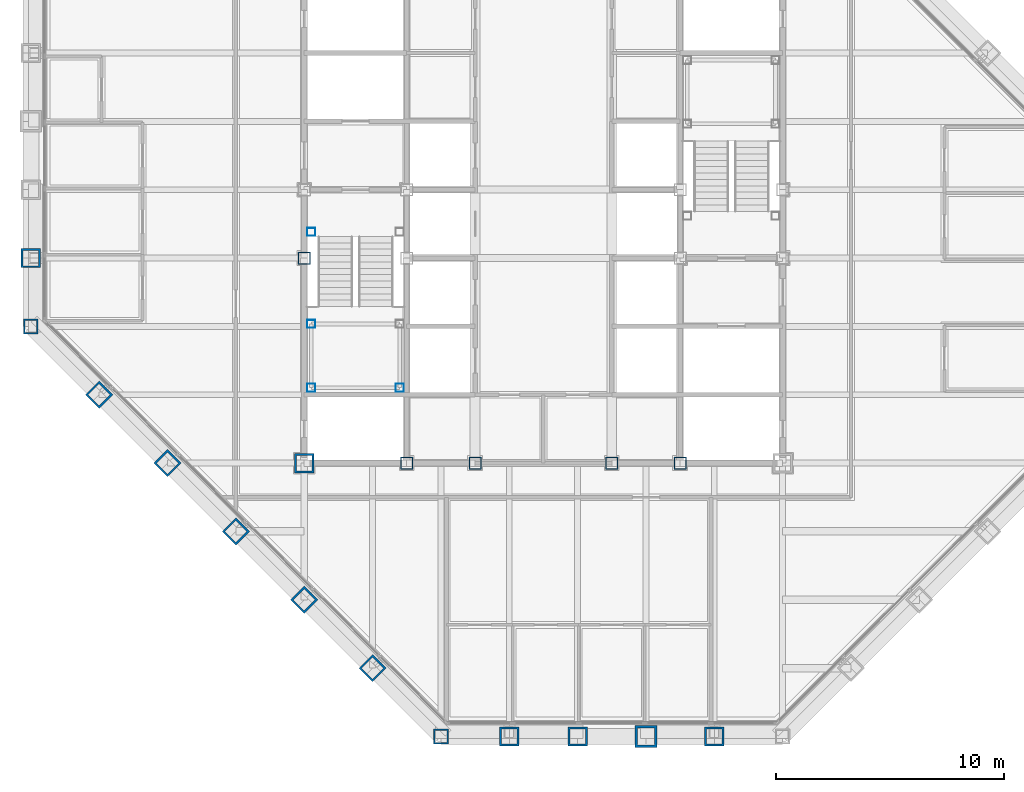
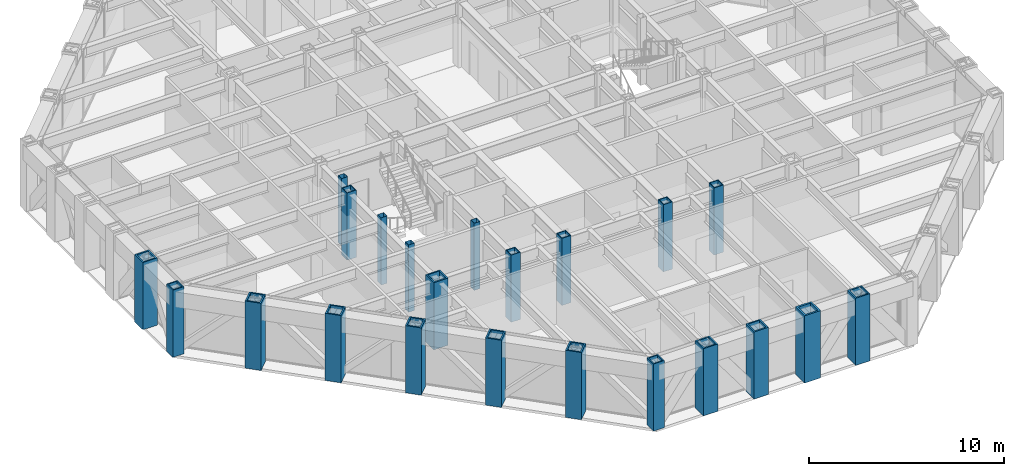
# One storey, part 1 of 16: 22 columns.
"""IFC4 building model written with IfcOpenShell, lengths in metres."""

from ifc_helpers import new_model, si_unit, direction, frame, origin, origin_2d, place, context, subcontext, project, spatial, hollow_rectangle, extrude, material, material_profile, profile_set, type_object, element, save


model = new_model("IFC4")

# Units and contexts
model_context = context("Model", 3, precision=1e-05, world=origin(), true_north=direction((0.0, 1.0)))
body_context = subcontext(model_context, "Body", "Model", "MODEL_VIEW")
ifc_project = project(units=[si_unit("LENGTHUNIT", "METRE"), si_unit("AREAUNIT", "SQUARE_METRE"), si_unit("VOLUMEUNIT", "CUBIC_METRE"), si_unit("PLANEANGLEUNIT", "RADIAN"), si_unit("MASSUNIT", "GRAM", prefix="KILO")], contexts=[model_context])

# Site, building, storey
site_placement = place(None, origin())
site = spatial("IfcSite", under=ifc_project, at=site_placement, CompositionType="ELEMENT")
building_placement = place(site_placement, origin())
building = spatial("IfcBuilding", under=site, at=building_placement, Name="Chuquiago Exchange Tower", CompositionType="ELEMENT")
storey_placement = place(building_placement, frame((0.0, 0.0, 243.300048828125)))
storey = spatial("IfcBuildingStorey", under=building, at=storey_placement, Name="L54", CompositionType="ELEMENT", Elevation=243.300048828125)

# Columns
ifc_material_1 = material(Name="Steel ASTM A572 Grade 50", Category="steel")
ifc_material_profile_1 = material_profile(ifc_material_1, hollow_rectangle(XDim=0.85009765625, YDim=0.85009765625, WallThickness=0.0849609375, at=origin_2d()), Name="BOX850X850X85")
ifc_profile_set_1 = profile_set([ifc_material_profile_1], Name="Steel ASTM A572 Grade 50")
column_type_1 = type_object("IfcColumnType", Name="C6 BOX850X850X85", PredefinedType="COLUMN", material=ifc_profile_set_1)
for number, where, z_axis, x_axis, name in (
    (1, (21.0, 0.0, 0.0), (0.0, 0.0, 1.0), (0.0, -1.0, 0.0), "COL-L54-21_0"),
    (2, (24.0, 0.0, 0.0), (0.0, 0.0, 1.0), (0.0, -1.0, 0.0), "COL-L54-24_0"),
    (3, (30.0, 0.0, 0.0), (0.0, 0.0, 1.0), (0.0, -1.0, 0.0), "COL-L54-30_0"),
    (4, (0.0, 21.0, 0.0), (0.0, 0.0, 1.0), (-1.0, 0.0, 0.0), "COL-L54-0_21"),
    (5, (3.0, 15.0, 0.0), (0.0, 0.0, 1.0), (-0.707106781187, -0.707106781187, 0.0), "COL-L54-3_15"),
    (6, (6.0, 12.0, 0.0), (0.0, 0.0, 1.0), (-0.707106781187, -0.707106781187, 0.0), "COL-L54-6_12"),
    (7, (9.0, 9.0, 0.0), (0.0, 0.0, 1.0), (-0.707106781187, -0.707106781187, 0.0), "COL-L54-9_9"),
    (8, (12.0, 6.0, 0.0), (0.0, 0.0, 1.0), (-0.707106781187, -0.707106781187, 0.0), "COL-L54-12_6"),
    (9, (15.0, 3.0, 0.0), (0.0, 0.0, 1.0), (-0.707106781187, -0.707106781187, 0.0), "COL-L54-15_3"),
):
    element("IfcColumn", number, at=place(storey_placement, frame(where, z_axis=z_axis, x_axis=x_axis)), inside=storey, type_object=column_type_1, Name=name, PredefinedType="COLUMN", context=body_context, shape_type="SweptSolid", body=[
        extrude(hollow_rectangle(XDim=0.85009765625, YDim=0.85009765625, WallThickness=0.0849609375, at=origin_2d()), origin(), (0.0, 0.0, 1.0), 4.199951171875),
    ])
ifc_material_2 = material(Name="Steel ASTM A572 Grade 50", Category="steel")
ifc_material_profile_2 = material_profile(ifc_material_2, hollow_rectangle(XDim=0.85009765625, YDim=0.85009765625, WallThickness=0.0849609375, at=origin_2d()), Name="BOX850X850X85")
ifc_profile_set_2 = profile_set([ifc_material_profile_2], Name="Steel ASTM A572 Grade 50")
column_type_2 = type_object("IfcColumnType", Name="CC6 BOX850X850X85", PredefinedType="COLUMN", material=ifc_profile_set_2)
column_1_placement = place(storey_placement, frame((12.0, 12.0, 0.0), z_axis=(0.0, 0.0, 1.0), x_axis=(1.0, 0.0, 0.0)))
element("IfcColumn", 10, at=column_1_placement, inside=storey, type_object=column_type_2, Name="CCOL-L54-12_12", PredefinedType="COLUMN", context=body_context, shape_type="SweptSolid", body=[
    extrude(hollow_rectangle(XDim=0.85009765625, YDim=0.85009765625, WallThickness=0.0849609375, at=origin_2d()), origin(), (0.0, 0.0, 1.0), 4.199951171875),
])
ifc_material_3 = material(Name="Steel ASTM A572 Grade 50", Category="steel")
ifc_material_profile_3 = material_profile(ifc_material_3, hollow_rectangle(XDim=0.550048828125, YDim=0.550048828125, WallThickness=0.044921875, at=origin_2d()), Name="BOX550X550X45")
ifc_profile_set_3 = profile_set([ifc_material_profile_3], Name="Steel ASTM A572 Grade 50")
column_type_3 = type_object("IfcColumnType", Name="CC8 BOX550X550X45", PredefinedType="COLUMN", material=ifc_profile_set_3)
for number, where, z_axis, x_axis, name in (
    (11, (16.5, 12.0, 0.0), (0.0, 0.0, 1.0), (1.0, 0.0, 0.0), "CCOL-L54-16.5_12"),
    (12, (19.5, 12.0, 0.0), (0.0, 0.0, 1.0), (1.0, 0.0, 0.0), "CCOL-L54-19.5_12"),
    (13, (25.5, 12.0, 0.0), (0.0, 0.0, 1.0), (1.0, 0.0, 0.0), "CCOL-L54-25.5_12"),
    (14, (28.5, 12.0, 0.0), (0.0, 0.0, 1.0), (1.0, 0.0, 0.0), "CCOL-L54-28.5_12"),
    (15, (12.0, 21.0, 0.0), (0.0, 0.0, 1.0), (1.0, 0.0, 0.0), "CCOL-L54-12_21"),
):
    element("IfcColumn", number, at=place(storey_placement, frame(where, z_axis=z_axis, x_axis=x_axis)), inside=storey, type_object=column_type_3, Name=name, PredefinedType="COLUMN", context=body_context, shape_type="SweptSolid", body=[
        extrude(hollow_rectangle(XDim=0.550048828125, YDim=0.550048828125, WallThickness=0.044921875, at=origin_2d()), origin(), (0.0, 0.0, 1.0), 4.199951171875),
    ])
ifc_material_4 = material(Name="Steel ASTM A572 Grade 50", Category="steel")
ifc_material_profile_4 = material_profile(ifc_material_4, hollow_rectangle(XDim=0.64990234375, YDim=0.64990234375, WallThickness=0.06494140625, at=origin_2d()), Name="BOX650X650X65")
ifc_profile_set_4 = profile_set([ifc_material_profile_4], Name="Steel ASTM A572 Grade 50")
column_type_4 = type_object("IfcColumnType", Name="CN2 BOX650X650X65", PredefinedType="COLUMN", material=ifc_profile_set_4)
for number, where, z_axis, x_axis, name in (
    (16, (18.0, 0.0, 0.0), (0.0, 0.0, 1.0), (0.0, -1.0, 0.0), "COL-L54-18_0"),
    (17, (0.0, 18.0, 0.0), (0.0, 0.0, 1.0), (-1.0, 0.0, 0.0), "COL-L54-0_18"),
):
    element("IfcColumn", number, at=place(storey_placement, frame(where, z_axis=z_axis, x_axis=x_axis)), inside=storey, type_object=column_type_4, Name=name, PredefinedType="COLUMN", context=body_context, shape_type="SweptSolid", body=[
        extrude(hollow_rectangle(XDim=0.64990234375, YDim=0.64990234375, WallThickness=0.06494140625, at=origin_2d()), origin(), (0.0, 0.0, 1.0), 4.199951171875),
    ])
ifc_material_5 = material(Name="Steel ASTM A572 Grade 42", Category="steel")
ifc_material_profile_5 = material_profile(ifc_material_5, hollow_rectangle(XDim=0.949951171875, YDim=0.949951171875, WallThickness=0.110107421875, at=origin_2d()), Name="BOX950X950X110")
ifc_profile_set_5 = profile_set([ifc_material_profile_5], Name="Steel ASTM A572 Grade 42")
column_type_5 = type_object("IfcColumnType", Name="CT1 BOX950X950X110", PredefinedType="COLUMN", material=ifc_profile_set_5)
column_2_placement = place(storey_placement, frame((27.0, 0.0, 0.0), z_axis=(0.0, 0.0, 1.0), x_axis=(0.0, -1.0, 0.0)))
element("IfcColumn", 18, at=column_2_placement, inside=storey, type_object=column_type_5, Name="COL-L54-27_0", PredefinedType="COLUMN", context=body_context, shape_type="SweptSolid", body=[
    extrude(hollow_rectangle(XDim=0.949951171875, YDim=0.949951171875, WallThickness=0.110107421875, at=origin_2d()), origin(), (0.0, 0.0, 1.0), 4.199951171875),
])
ifc_material_6 = material(Name="Steel ASTM A500 Grade C", Category="steel")
ifc_material_profile_6 = material_profile(ifc_material_6, hollow_rectangle(XDim=0.355712890625, YDim=0.355712890625, WallThickness=0.0087890625, at=origin_2d()), Name="HSS14X14X3/8")
ifc_profile_set_6 = profile_set([ifc_material_profile_6], Name="Steel ASTM A500 Grade C")
column_type_6 = type_object("IfcColumnType", Name="PT1 HSS14X14X3/8", PredefinedType="COLUMN", material=ifc_profile_set_6)
for number, where, z_axis, x_axis, name in (
    (19, (12.31005859375, 15.31005859375, 0.0), (0.0, 0.0, 1.0), (1.0, 0.0, 0.0), "Stair ST1 L54 landing post"),
    (20, (16.18994140625, 15.31005859375, 0.0), (0.0, 0.0, 1.0), (1.0, 0.0, 0.0), "Stair ST1 L54 landing post"),
    (21, (12.31005859375, 18.110107421875, 0.0), (0.0, 0.0, 1.0), (1.0, 0.0, 0.0), "Stair ST1 L54 landing post"),
    (22, (12.31005859375, 22.14990234375, 0.0), (0.0, 0.0, 1.0), (1.0, 0.0, 0.0), "Stair ST1 L54 landing post"),
):
    element("IfcColumn", number, at=place(storey_placement, frame(where, z_axis=z_axis, x_axis=x_axis)), inside=storey, type_object=column_type_6, Name=name, PredefinedType="COLUMN", context=body_context, shape_type="SweptSolid", body=[
        extrude(hollow_rectangle(XDim=0.355712890625, YDim=0.355712890625, WallThickness=0.0087890625, at=origin_2d()), origin(), (0.0, 0.0, 1.0), 4.199951171875),
    ])

save(model, "model.ifc")
